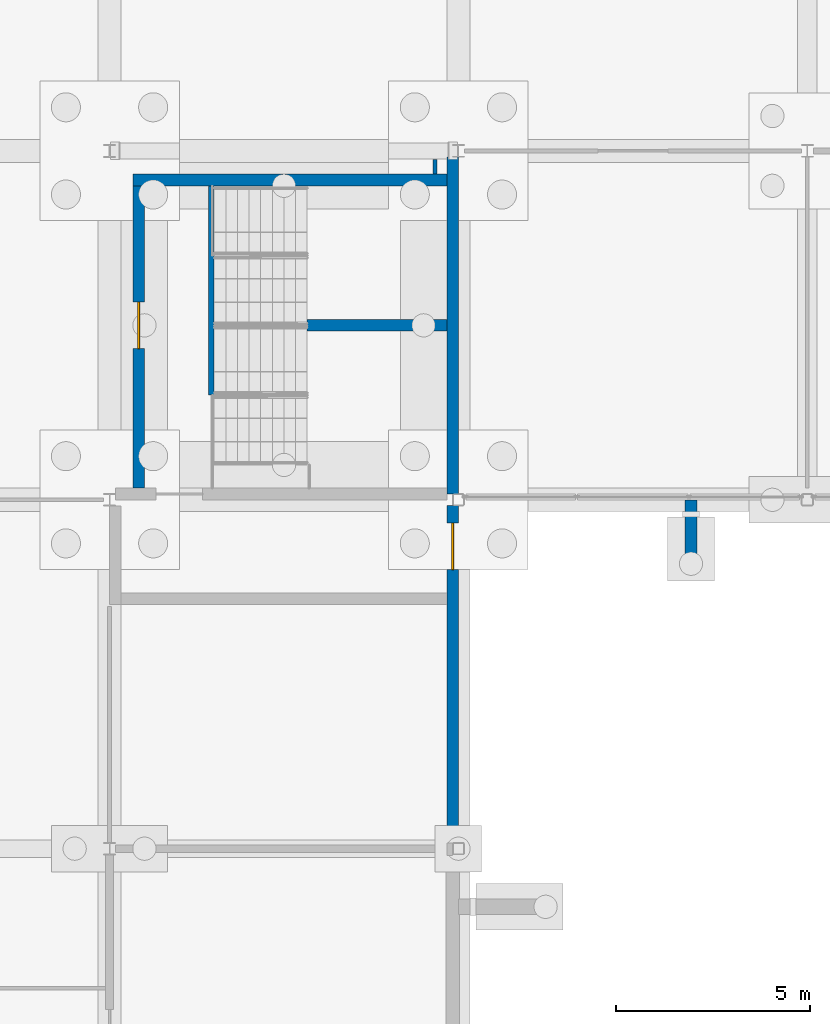
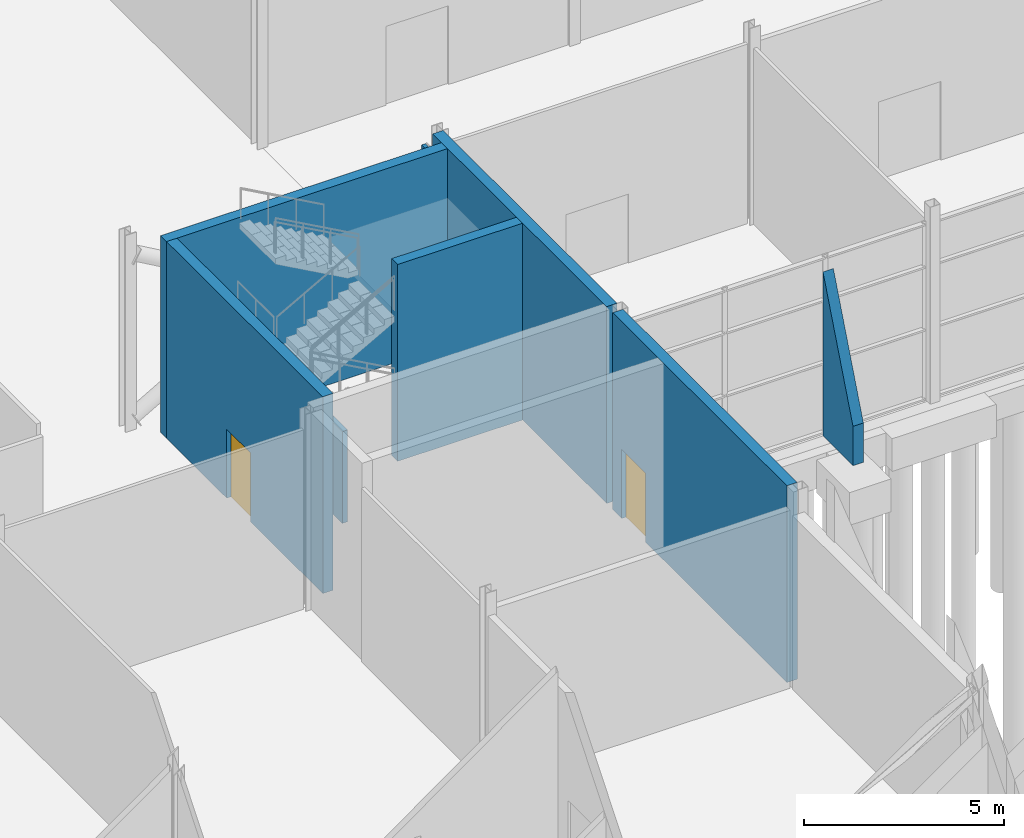
# One storey, part 104 of 139: 8 walls, 2 doors, 2 openings.
"""IFC4 building model written with IfcOpenShell, lengths in metres."""

from ifc_helpers import new_model, si_unit, direction, frame, frame_2d, origin, place, context, subcontext, project, spatial, polyline, rectangle, outline, extrude, material, layer, layer_set, type_object, element, fill, save


model = new_model("IFC4")

# Units and contexts
model_context = context("Model", 3, precision=1e-05, world=origin(), true_north=direction((0.0, 1.0)))
body_context = subcontext(model_context, "Body", "Model", "MODEL_VIEW")
ifc_project = project(units=[si_unit("LENGTHUNIT", "METRE"), si_unit("AREAUNIT", "SQUARE_METRE"), si_unit("VOLUMEUNIT", "CUBIC_METRE"), si_unit("PLANEANGLEUNIT", "RADIAN"), si_unit("MASSUNIT", "GRAM", prefix="KILO")], contexts=[model_context])

# Site, building, storey
site_placement = place(None, origin())
site = spatial("IfcSite", under=ifc_project, at=site_placement, CompositionType="ELEMENT")
building_placement = place(site_placement, origin())
building = spatial("IfcBuilding", under=site, at=building_placement, Name="Shorebreak Coast Museum", CompositionType="ELEMENT")
storey_placement = place(building_placement, origin())
storey = spatial("IfcBuildingStorey", under=building, at=storey_placement, Name="L00", CompositionType="ELEMENT", Elevation=0.0)

# Walls
ifc_material_1 = material(Name="Plasterboard on steel stud", Category="steel")
ifc_layer_1 = layer(ifc_material_1, 0.10009765625)
ifc_layer_set_1 = layer_set([ifc_layer_1], Name="Plasterboard on steel stud")
wall_type_1 = type_object("IfcWallType", Name="Partition 100", PredefinedType="PARTITIONING", material=ifc_layer_set_1)
wall_1_placement = place(storey_placement, frame((116.39990234375, 62.39990234375, 0.0), z_axis=(0.0, 0.0, 1.0), x_axis=(0.0, 1.0, 0.0)))
element("IfcWall", 1, at=wall_1_placement, inside=storey, type_object=wall_type_1, Name="Partition L00-164", PredefinedType="PARTITIONING", context=body_context, shape_type="SweptSolid", body=[
    extrude(rectangle(XDim=0.380126953125, YDim=0.10009765625, at=frame_2d((0.18994140625, 0.0))), origin(), (0.0, 0.0, 1.0), 5.824951171875),
])
ifc_material_2 = material(Name="Concrete N50 (50 MPa)", Category="concrete")
ifc_layer_2 = layer(ifc_material_2, 0.300048828125)
ifc_layer_set_2 = layer_set([ifc_layer_2], Name="Concrete N50 (50 MPa)")
wall_type_2 = type_object("IfcWallType", Name="RC wall 300", PredefinedType="SHEAR", material=ifc_layer_set_2)
wall_2_placement = place(storey_placement, frame((108.60009765625, 62.25, 0.0), z_axis=(0.0, 0.0, 1.0), x_axis=(1.0, 0.0, 0.0)))
element("IfcWall", 2, at=wall_2_placement, inside=storey, type_object=wall_type_2, Name="Stair core wall ST02 L00 N", PredefinedType="SHEAR", context=body_context, shape_type="SweptSolid", body=[
    extrude(rectangle(XDim=8.099853515625, YDim=0.300048828125, at=frame_2d((4.0498046875, 0.0))), origin(), (0.0, 0.0, 1.0), 6.0),
])

# Wall, opening, door
wall_3_placement = place(storey_placement, frame((108.75, 54.300048828125, 0.0), z_axis=(0.0, 0.0, 1.0), x_axis=(0.0, 1.0, 0.0)))
wall_3 = element("IfcWall", 3, at=wall_3_placement, inside=storey, type_object=wall_type_2, Name="Stair core wall ST02 L00 W", PredefinedType="SHEAR", context=body_context, shape_type="SweptSolid", body=[
    extrude(rectangle(XDim=7.800048828125, YDim=0.300048828125, at=frame_2d((3.89990234375, 0.0))), origin(), (0.0, 0.0, 1.0), 6.0),
])
opening_1_placement = place(wall_3_placement, frame((3.60009765625, 0.0, 0.0)))
opening_1 = element("IfcOpeningElement", 4, at=opening_1_placement, cuts=wall_3, Name="Opening D0802", PredefinedType="OPENING", context=body_context, shape_type="SweptSolid", body=[
    extrude(rectangle(XDim=1.199951171875, YDim=2.10009765625, at=frame_2d((0.60009765625, 1.050048828125))), frame((0.0, 0.159912109375, 0.0), z_axis=(0.0, -1.0, 0.0), x_axis=(1.0, 0.0, 0.0)), (0.0, 0.0, 1.0), 0.320068359375),
])
ifc_material_3 = material(Name="Steel Grade 300", Category="steel")
door_type_1 = type_object("IfcDoorType", Name="Fire door 1200x2100", OperationType="SINGLE_SWING_LEFT", PredefinedType="DOOR", material=ifc_material_3)
door_1_placement = place(opening_1_placement, origin())
door_1 = element("IfcDoor", 5, at=door_1_placement, inside=storey, type_object=door_type_1, Name="Stair door ST02 L00", OperationType="SINGLE_SWING_RIGHT", OverallHeight=2.10009765625, OverallWidth=1.199951171875, PredefinedType="DOOR", context=body_context, shape_type="SweptSolid", body=[
    extrude(rectangle(XDim=1.199951171875, YDim=2.10009765625, at=frame_2d((0.60009765625, 1.050048828125))), frame((0.0, 0.02490234375, 0.0), z_axis=(0.0, -1.0, 0.0), x_axis=(1.0, 0.0, 0.0)), (0.0, 0.0, 1.0), 0.050048828125),
])
fill(opening_1, door_1)

# Wall
wall_4_placement = place(storey_placement, frame((116.85009765625, 54.14990234375, 0.0), z_axis=(0.0, 0.0, 1.0), x_axis=(0.0, 1.0, 0.0)))
element("IfcWall", 6, at=wall_4_placement, inside=storey, type_object=wall_type_2, Name="Stair core wall ST02 L00 E", PredefinedType="SHEAR", context=body_context, shape_type="SweptSolid", body=[
    extrude(rectangle(XDim=8.689697265625, YDim=0.300048828125, at=frame_2d((4.3447265625, 0.0))), origin(), (0.0, 0.0, 1.0), 6.0),
])

# Wall, opening, door
wall_5_placement = place(storey_placement, frame((116.85009765625, 45.14990234375, 0.0), z_axis=(0.0, 0.0, 1.0), x_axis=(0.0, 1.0, 0.0)))
wall_5 = element("IfcWall", 7, at=wall_5_placement, inside=storey, type_object=wall_type_2, Name="Exit passage wall PX2 exit", PredefinedType="SHEAR", context=body_context, shape_type="SweptSolid", body=[
    extrude(rectangle(XDim=8.7001953125, YDim=0.300048828125, at=frame_2d((4.35009765625, 0.0))), origin(), (0.0, 0.0, 1.0), 6.0),
])
opening_2_placement = place(wall_5_placement, frame((7.050048828125, 0.0, 0.0)))
opening_2 = element("IfcOpeningElement", 8, at=opening_2_placement, cuts=wall_5, Name="Opening D0562", PredefinedType="OPENING", context=body_context, shape_type="SweptSolid", body=[
    extrude(rectangle(XDim=1.199951171875, YDim=2.10009765625, at=frame_2d((0.60009765625, 1.050048828125))), frame((0.0, 0.159912109375, 0.0), z_axis=(0.0, -1.0, 0.0), x_axis=(1.0, 0.0, 0.0)), (0.0, 0.0, 1.0), 0.320068359375),
])
ifc_material_4 = material(Name="Steel Grade 300", Category="steel")
door_type_2 = type_object("IfcDoorType", Name="Exit door 1200x2100", OperationType="SINGLE_SWING_LEFT", PredefinedType="DOOR", material=ifc_material_4)
door_2_placement = place(opening_2_placement, frame((1.199951171875, 0.0, 0.0), z_axis=(0.0, 0.0, 1.0), x_axis=(-1.0, 0.0, 0.0)))
door_2 = element("IfcDoor", 9, at=door_2_placement, inside=storey, type_object=door_type_2, Name="Exit door PX2", OperationType="SINGLE_SWING_LEFT", OverallHeight=2.10009765625, OverallWidth=1.199951171875, PredefinedType="DOOR", context=body_context, shape_type="SweptSolid", body=[
    extrude(rectangle(XDim=1.199951171875, YDim=2.10009765625, at=frame_2d((0.60009765625, 1.050048828125))), frame((0.0, 0.02490234375, 0.0), z_axis=(0.0, -1.0, 0.0), x_axis=(1.0, 0.0, 0.0)), (0.0, 0.0, 1.0), 0.050048828125),
])
fill(opening_2, door_2)

# Walls
wall_6_placement = place(storey_placement, frame((113.10009765625, 58.5, 0.0), z_axis=(0.0, 0.0, 1.0), x_axis=(1.0, 0.0, 0.0)))
element("IfcWall", 10, at=wall_6_placement, inside=storey, type_object=wall_type_2, Name="Stair spine wall ST02 L00", PredefinedType="SHEAR", context=body_context, shape_type="SweptSolid", body=[
    extrude(rectangle(XDim=3.599853515625, YDim=0.300048828125, at=frame_2d((1.7998046875, 0.0))), origin(), (0.0, 0.0, 1.0), 6.0),
])
ifc_material_5 = material(Name="Concrete N50 (50 MPa)", Category="concrete")
ifc_layer_3 = layer(ifc_material_5, 0.300048828125)
ifc_layer_set_3 = layer_set([ifc_layer_3], Name="Concrete N50 (50 MPa)")
wall_type_3 = type_object("IfcWallType", Name="Raked fin 300", PredefinedType="SOLIDWALL", material=ifc_layer_set_3)
wall_7_placement = place(storey_placement, frame((123.0, 54.0, 0.0), z_axis=(0.0, 0.0, 1.0), x_axis=(0.0, -1.0, 0.0)))
element("IfcWall", 11, at=wall_7_placement, inside=storey, type_object=wall_type_3, Name="Raked fin ES28", PredefinedType="SOLIDWALL", context=body_context, shape_type="SweptSolid", body=[
    extrude(outline(polyline([(0.0, 0.0), (1.5, 0.0), (1.5, 1.199951171875), (0.0, 5.0), (0.0, 0.0)])), frame((0.0, 0.14990234375, 0.0), z_axis=(0.0, -1.0, 0.0), x_axis=(1.0, 0.0, 0.0)), (0.0, 0.0, 1.0), 0.300048828125),
])
ifc_material_6 = material(Name="Concrete N50 (50 MPa)", Category="concrete")
ifc_layer_4 = layer(ifc_material_6, 0.14990234375)
ifc_layer_set_4 = layer_set([ifc_layer_4], Name="Concrete N50 (50 MPa)")
wall_type_4 = type_object("IfcWallType", Name="Understair wall 150", PredefinedType="STANDARD", material=ifc_layer_set_4)
wall_8_placement = place(storey_placement, frame((110.625, 56.699951171875, 0.0), z_axis=(0.0, 0.0, 1.0), x_axis=(0.0, 1.0, 0.0)))
element("IfcWall", 12, at=wall_8_placement, inside=storey, type_object=wall_type_4, Name="Understair wall ST02 L00 floor", PredefinedType="STANDARD", context=body_context, shape_type="SweptSolid", body=[
    extrude(rectangle(XDim=5.400146484375, YDim=0.14990234375, at=frame_2d((2.7001953125, 0.0))), origin(), (0.0, 0.0, 1.0), 2.800048828125),
])

save(model, "model.ifc")
